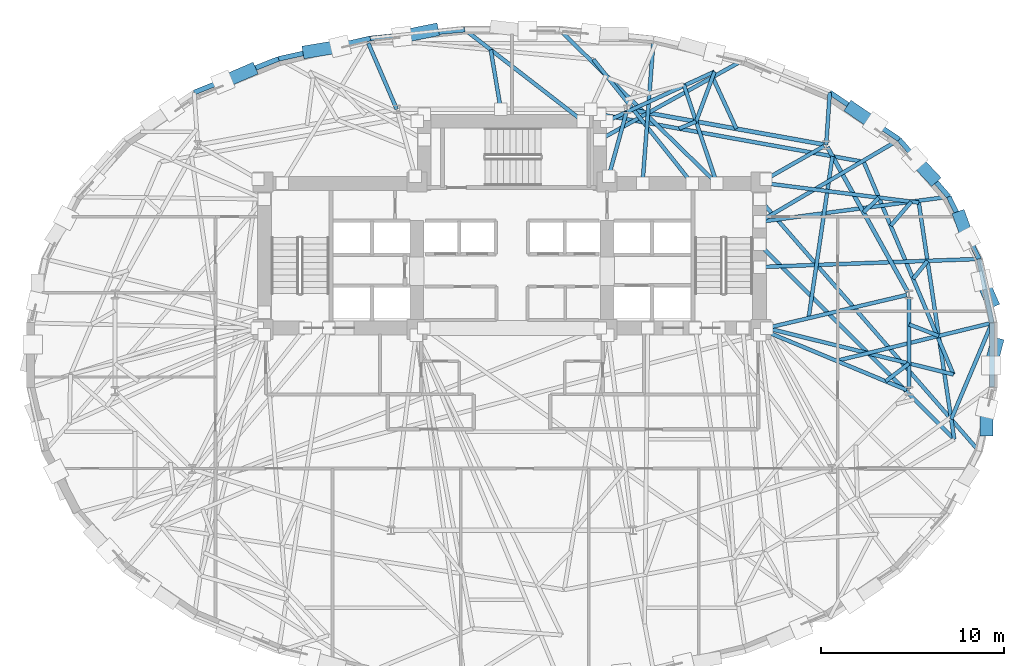
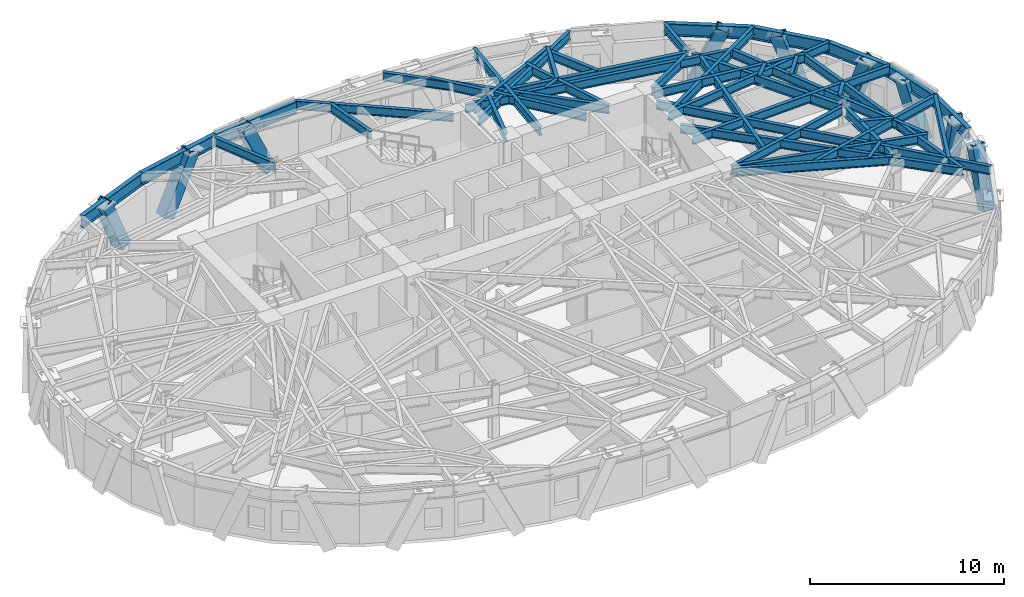
# One storey, part 4 of 14: 46 beams, 9 members.
"""IFC4 building model written with IfcOpenShell, lengths in metres."""

from ifc_helpers import new_model, si_unit, direction, frame, origin, origin_2d, place, context, subcontext, project, spatial, hollow_rectangle, i_section, extrude, material, material_profile, profile_set, type_object, element, save


model = new_model("IFC4")

# Units and contexts
model_context = context("Model", 3, precision=1e-05, world=origin(), true_north=direction((0.0, 1.0)))
body_context = subcontext(model_context, "Body", "Model", "MODEL_VIEW")
ifc_project = project(units=[si_unit("LENGTHUNIT", "METRE"), si_unit("AREAUNIT", "SQUARE_METRE"), si_unit("VOLUMEUNIT", "CUBIC_METRE"), si_unit("PLANEANGLEUNIT", "RADIAN"), si_unit("MASSUNIT", "GRAM", prefix="KILO")], contexts=[model_context])

# Site, building, storey
site_placement = place(None, origin())
site = spatial("IfcSite", under=ifc_project, at=site_placement, CompositionType="ELEMENT")
building_placement = place(site_placement, origin())
building = spatial("IfcBuilding", under=site, at=building_placement, Name="Keldmark Tower", CompositionType="ELEMENT")
storey_placement = place(building_placement, frame((0.0, 0.0, 117.60009765625)))
storey = spatial("IfcBuildingStorey", under=building, at=storey_placement, Name="L31", CompositionType="ELEMENT", Elevation=117.60009765625)

# Members
ifc_material_1 = material(Name="Steel ASTM A572 Grade 50", Category="steel")
ifc_material_profile_1 = material_profile(ifc_material_1, hollow_rectangle(XDim=0.699951171875, YDim=0.699951171875, WallThickness=0.044921875, at=origin_2d()), Name="BOX700X700X45")
ifc_profile_set_1 = profile_set([ifc_material_profile_1], Name="Steel ASTM A572 Grade 50")
member_type = type_object("IfcMemberType", Name="Diagrid Zone 2 Brace BOX700X700X45", PredefinedType="BRACE", material=ifc_profile_set_1)
member_1_placement = place(storey_placement, frame((26.193603515625, 2.937744140625, -0.27001953125), z_axis=(-0.136715052981, 0.309551033024, 0.941003268986), x_axis=(-0.914755754377, -0.404007314085, 0.0)))
element("IfcMember", 1, at=member_1_placement, inside=storey, type_object=member_type, Name="L31 Perimeter Diagrid Brace 01A", PredefinedType="BRACE", context=body_context, shape_type="SweptSolid", body=[
    extrude(hollow_rectangle(XDim=0.699951171875, YDim=0.699951171875, WallThickness=0.044921875, at=origin_2d()), origin(), (0.0, 0.0, 1.0), 3.677001953125),
])
member_2_placement = place(storey_placement, frame((24.48193359375, 7.53173828125, -0.27001953125), z_axis=(0.115677594289, -0.31774815653, 0.941092345735), x_axis=(0.939667219059, 0.342089925935, 0.0)))
element("IfcMember", 2, at=member_2_placement, inside=storey, type_object=member_type, Name="L31 Perimeter Diagrid Brace 01B", PredefinedType="BRACE", context=body_context, shape_type="SweptSolid", body=[
    extrude(hollow_rectangle(XDim=0.699951171875, YDim=0.699951171875, WallThickness=0.044921875, at=origin_2d()), origin(), (0.0, 0.0, 1.0), 3.676513671875),
])
member_3_placement = place(storey_placement, frame((22.969482421875, 9.683349609375, -0.27001953125), z_axis=(-0.257418052175, 0.273245076724, 0.926861950056), x_axis=(-0.727872576198, -0.685712412618, 0.0)))
element("IfcMember", 3, at=member_3_placement, inside=storey, type_object=member_type, Name="L31 Perimeter Diagrid Brace 02A", PredefinedType="BRACE", context=body_context, shape_type="SweptSolid", body=[
    extrude(hollow_rectangle(XDim=0.699951171875, YDim=0.699951171875, WallThickness=0.044921875, at=origin_2d()), origin(), (0.0, 0.0, 1.0), 3.73291015625),
])
member_4_placement = place(storey_placement, frame((18.588623046875, 13.45361328125, -0.27001953125), z_axis=(0.333081004884, -0.227714034546, 0.914988176238), x_axis=(0.564374110269, 0.825519147966, 0.0)))
element("IfcMember", 4, at=member_4_placement, inside=storey, type_object=member_type, Name="L31 Perimeter Diagrid Brace 02B", PredefinedType="BRACE", context=body_context, shape_type="SweptSolid", body=[
    extrude(hollow_rectangle(XDim=0.699951171875, YDim=0.699951171875, WallThickness=0.044921875, at=origin_2d()), origin(), (0.0, 0.0, 1.0), 3.781494140625),
])
member_5_placement = place(storey_placement, frame((-4.3359375, 17.739013671875, -0.27001953125), z_axis=(-0.434868401158, -0.088149854764, 0.896169111708), x_axis=(0.19866427765, -0.980067602151, 0.0)))
element("IfcMember", 5, at=member_5_placement, inside=storey, type_object=member_type, Name="L31 Perimeter Diagrid Brace 05A", PredefinedType="BRACE", context=body_context, shape_type="SweptSolid", body=[
    extrude(hollow_rectangle(XDim=0.699951171875, YDim=0.699951171875, WallThickness=0.044921875, at=origin_2d()), origin(), (0.0, 0.0, 1.0), 3.86083984375),
])
member_6_placement = place(storey_placement, frame((-11.11767578125, 16.579345703125, -0.27001953125), z_axis=(0.444558902473, 0.074513060587, 0.892645050417), x_axis=(-0.165305300485, 0.986242443637, 0.0)))
element("IfcMember", 6, at=member_6_placement, inside=storey, type_object=member_type, Name="L31 Perimeter Diagrid Brace 05B", PredefinedType="BRACE", context=body_context, shape_type="SweptSolid", body=[
    extrude(hollow_rectangle(XDim=0.699951171875, YDim=0.699951171875, WallThickness=0.044921875, at=origin_2d()), origin(), (0.0, 0.0, 1.0), 3.8759765625),
])
member_7_placement = place(storey_placement, frame((-14.29638671875, 15.555419921875, -0.27001953125), z_axis=(-0.392877780664, -0.170070612081, 0.903727301992), x_axis=(0.397260453562, -0.91770590716, 0.0)))
element("IfcMember", 7, at=member_7_placement, inside=storey, type_object=member_type, Name="L31 Perimeter Diagrid Brace 06A", PredefinedType="BRACE", context=body_context, shape_type="SweptSolid", body=[
    extrude(hollow_rectangle(XDim=0.699951171875, YDim=0.699951171875, WallThickness=0.044921875, at=origin_2d()), origin(), (0.0, 0.0, 1.0), 3.82861328125),
])
member_8_placement = place(storey_placement, frame((25.92724609375, -4.0986328125, -0.27001953125), z_axis=(0.000666691478, 0.327545523349, 0.94483516322), x_axis=(-0.999997928547, 0.002035412026, 0.0)))
element("IfcMember", 8, at=member_8_placement, inside=storey, type_object=member_type, Name="L31 Perimeter Diagrid Brace 16A", PredefinedType="BRACE", context=body_context, shape_type="SweptSolid", body=[
    extrude(hollow_rectangle(XDim=0.699951171875, YDim=0.699951171875, WallThickness=0.044921875, at=origin_2d()), origin(), (0.0, 0.0, 1.0), 3.661865234375),
])
member_9_placement = place(storey_placement, frame((26.462158203125, 0.59619140625, -0.27001953125), z_axis=(-0.081382551716, -0.320268978071, 0.943824486841), x_axis=(0.969198705656, -0.246280062032, 0.0)))
element("IfcMember", 9, at=member_9_placement, inside=storey, type_object=member_type, Name="L31 Perimeter Diagrid Brace 16B", PredefinedType="BRACE", context=body_context, shape_type="SweptSolid", body=[
    extrude(hollow_rectangle(XDim=0.699951171875, YDim=0.699951171875, WallThickness=0.044921875, at=origin_2d()), origin(), (0.0, 0.0, 1.0), 3.666015625),
])

# Beams
ifc_material_2 = material(Name="Steel ASTM A992 Grade 50", Category="steel")
ifc_material_profile_2 = material_profile(ifc_material_2, i_section(OverallWidth=0.22900390625, OverallDepth=0.612060546875, WebThickness=0.011962890625, FlangeThickness=0.01953125, at=origin_2d()), Name="W24X84")
ifc_profile_set_2 = profile_set([ifc_material_profile_2], Name="Steel ASTM A992 Grade 50")
beam_type_1 = type_object("IfcBeamType", Name="Primary Floor Girder W24X84", PredefinedType="BEAM", material=ifc_profile_set_2)
beam_1_placement = place(storey_placement, frame((21.62890625, 3.432373046875, 3.00390625), z_axis=(-0.484951836703, 0.874540860154, 0.0), x_axis=(-0.874540860154, -0.484951836703, 0.0)))
element("IfcBeam", 10, at=beam_1_placement, inside=storey, type_object=beam_type_1, Name="L31 Floor Ring Girder FG-R01", PredefinedType="BEAM", context=body_context, shape_type="SweptSolid", body=[
    extrude(i_section(OverallWidth=0.22900390625, OverallDepth=0.612060546875, WebThickness=0.011962890625, FlangeThickness=0.01953125, at=origin_2d()), origin(), (0.0, 0.0, 1.0), 9.060302734375),
])
beam_2_placement = place(storey_placement, frame((17.029296875, 11.503173828125, 3.00390625), z_axis=(-0.984218266992, 0.176958760505, 0.0), x_axis=(-0.176958760505, -0.984218266992, 0.0)))
element("IfcBeam", 11, at=beam_2_placement, inside=storey, type_object=beam_type_1, Name="L31 Floor Ring Girder FG-R02", PredefinedType="BEAM", context=body_context, shape_type="SweptSolid", body=[
    extrude(i_section(OverallWidth=0.22900390625, OverallDepth=0.612060546875, WebThickness=0.011962890625, FlangeThickness=0.01953125, at=origin_2d()), origin(), (0.0, 0.0, 1.0), 10.7626953125),
])
beam_3_placement = place(storey_placement, frame((21.697021484375, -1.825927734375, 3.00390625), z_axis=(0.0, 1.0, 0.0), x_axis=(-1.0, 0.0, 0.0)))
element("IfcBeam", 12, at=beam_3_placement, inside=storey, type_object=beam_type_1, Name="L31 Floor Ring Girder FG-R12", PredefinedType="BEAM", context=body_context, shape_type="SweptSolid", body=[
    extrude(i_section(OverallWidth=0.22900390625, OverallDepth=0.612060546875, WebThickness=0.011962890625, FlangeThickness=0.01953125, at=origin_2d()), origin(), (0.0, 0.0, 1.0), 4.995849609375),
])
ifc_material_3 = material(Name="Steel ASTM A992 Grade 50", Category="steel")
ifc_material_profile_3 = material_profile(ifc_material_3, i_section(OverallWidth=0.2099609375, OverallDepth=0.537109375, WebThickness=0.010986328125, FlangeThickness=0.017333984375, at=origin_2d()), Name="W21X68")
ifc_profile_set_3 = profile_set([ifc_material_profile_3], Name="Steel ASTM A992 Grade 50")
beam_type_2 = type_object("IfcBeamType", Name="Radial Tie Girder W21X68", PredefinedType="BEAM", material=ifc_profile_set_3)
beam_4_placement = place(storey_placement, frame((21.560546875, 3.27783203125, 3.04150390625), z_axis=(-0.973283778272, -0.229605502879, 0.0), x_axis=(0.229605502879, -0.973283778272, 0.0)))
element("IfcBeam", 13, at=beam_4_placement, inside=storey, type_object=beam_type_2, Name="L31 Floor Radial Girder FG-C01", PredefinedType="BEAM", context=body_context, shape_type="SweptSolid", body=[
    extrude(i_section(OverallWidth=0.2099609375, OverallDepth=0.537109375, WebThickness=0.010986328125, FlangeThickness=0.017333984375, at=origin_2d()), origin(), (0.0, 0.0, 1.0), 7.85888671875),
])
beam_5_placement = place(storey_placement, frame((17.04541015625, 11.4091796875, 3.04150390625), z_axis=(-0.86928447329, -0.494312152892, 0.0), x_axis=(0.494312152892, -0.86928447329, 0.0)))
element("IfcBeam", 14, at=beam_5_placement, inside=storey, type_object=beam_type_2, Name="L31 Floor Radial Girder FG-C02", PredefinedType="BEAM", context=body_context, shape_type="SweptSolid", body=[
    extrude(i_section(OverallWidth=0.2099609375, OverallDepth=0.537109375, WebThickness=0.010986328125, FlangeThickness=0.017333984375, at=origin_2d()), origin(), (0.0, 0.0, 1.0), 3.6435546875),
])
beam_6_placement = place(storey_placement, frame((6.26171875, 13.297607421875, 3.04150390625), z_axis=(-0.265997186795, -0.963973804944, 0.0), x_axis=(0.963973804944, -0.265997186795, 0.0)))
element("IfcBeam", 15, at=beam_6_placement, inside=storey, type_object=beam_type_2, Name="L31 Floor Radial Girder FG-C03", PredefinedType="BEAM", context=body_context, shape_type="SweptSolid", body=[
    extrude(i_section(OverallWidth=0.2099609375, OverallDepth=0.537109375, WebThickness=0.010986328125, FlangeThickness=0.017333984375, at=origin_2d()), origin(), (0.0, 0.0, 1.0), 3.67138671875),
])
beam_7_placement = place(storey_placement, frame((21.567626953125, -1.912109375, 3.04150390625), z_axis=(-0.923397393633, 0.383845350932, 0.0), x_axis=(-0.383845350932, -0.923397393633, 0.0)))
element("IfcBeam", 16, at=beam_7_placement, inside=storey, type_object=beam_type_2, Name="L31 Floor Radial Girder FG-C12", PredefinedType="BEAM", context=body_context, shape_type="SweptSolid", body=[
    extrude(i_section(OverallWidth=0.2099609375, OverallDepth=0.537109375, WebThickness=0.010986328125, FlangeThickness=0.017333984375, at=origin_2d()), origin(), (0.0, 0.0, 1.0), 8.30859375),
])
beam_8_placement = place(storey_placement, frame((16.206298828125, 2.014892578125, 3.04150390625), z_axis=(0.145924065507, 0.989295793535, 0.0), x_axis=(-0.989295793535, 0.145924065507, 0.0)))
element("IfcBeam", 17, at=beam_8_placement, inside=storey, type_object=beam_type_2, Name="L31 Framing Pin Header PH-001", PredefinedType="BEAM", context=body_context, shape_type="SweptSolid", body=[
    extrude(i_section(OverallWidth=0.2099609375, OverallDepth=0.537109375, WebThickness=0.010986328125, FlangeThickness=0.017333984375, at=origin_2d()), origin(), (0.0, 0.0, 1.0), 8.939208984375),
])
beam_9_placement = place(storey_placement, frame((4.800048828125, 13.14990234375, 3.04150390625), z_axis=(0.984137510219, -0.177407330683, 0.0), x_axis=(0.177407330683, 0.984137510219, 0.0)))
element("IfcBeam", 18, at=beam_9_placement, inside=storey, type_object=beam_type_2, Name="L31 Sub-Ring Step Girder STP1-M01", PredefinedType="BEAM", context=body_context, shape_type="SweptSolid", body=[
    extrude(i_section(OverallWidth=0.2099609375, OverallDepth=0.537109375, WebThickness=0.010986328125, FlangeThickness=0.017333984375, at=origin_2d()), origin(), (0.0, 0.0, 1.0), 14.6533203125),
])
beam_10_placement = place(storey_placement, frame((9.126220703125, 12.3701171875, 3.04150390625), z_axis=(0.924010943227, 0.382366024637, 0.0), x_axis=(-0.382366024637, 0.924010943227, 0.0)))
element("IfcBeam", 19, at=beam_10_placement, inside=storey, type_object=beam_type_2, Name="L31 Framing Pin Header PH-002", PredefinedType="BEAM", context=body_context, shape_type="SweptSolid", body=[
    extrude(i_section(OverallWidth=0.2099609375, OverallDepth=0.537109375, WebThickness=0.010986328125, FlangeThickness=0.017333984375, at=origin_2d()), origin(), (0.0, 0.0, 1.0), 1.010009765625),
])
beam_11_placement = place(storey_placement, frame((11.19287109375, 9.375, 3.04150390625), z_axis=(-0.317807372155, 0.948155300678, 0.0), x_axis=(-0.948155300678, -0.317807372155, 0.0)))
element("IfcBeam", 20, at=beam_11_placement, inside=storey, type_object=beam_type_2, Name="L31 Sub-Ring Step Girder STP1-M02", PredefinedType="BEAM", context=body_context, shape_type="SweptSolid", body=[
    extrude(i_section(OverallWidth=0.2099609375, OverallDepth=0.537109375, WebThickness=0.010986328125, FlangeThickness=0.017333984375, at=origin_2d()), origin(), (0.0, 0.0, 1.0), 5.70166015625),
])
beam_12_placement = place(storey_placement, frame((20.416748046875, -1.433837890625, 3.04150390625), z_axis=(0.796267517739, 0.604944658786, 0.0), x_axis=(-0.604944658786, 0.796267517739, 0.0)))
element("IfcBeam", 21, at=beam_12_placement, inside=storey, type_object=beam_type_2, Name="L31 Framing Pin Header PH-006", PredefinedType="BEAM", context=body_context, shape_type="SweptSolid", body=[
    extrude(i_section(OverallWidth=0.2099609375, OverallDepth=0.537109375, WebThickness=0.010986328125, FlangeThickness=0.017333984375, at=origin_2d()), origin(), (0.0, 0.0, 1.0), 1.60791015625),
])
beam_13_placement = place(storey_placement, frame((13.89990234375, 1.47509765625, 3.04150390625), z_axis=(0.970521676589, -0.241013848713, 0.0), x_axis=(0.241013848713, 0.970521676589, 0.0)))
element("IfcBeam", 22, at=beam_13_placement, inside=storey, type_object=beam_type_2, Name="L31 Sub-Ring Step Girder STP1-M12", PredefinedType="BEAM", context=body_context, shape_type="SweptSolid", body=[
    extrude(i_section(OverallWidth=0.2099609375, OverallDepth=0.537109375, WebThickness=0.010986328125, FlangeThickness=0.017333984375, at=origin_2d()), origin(), (0.0, 0.0, 1.0), 10.533935546875),
])
beam_14_placement = place(storey_placement, frame((24.123291015625, -1.063720703125, 3.04150390625), z_axis=(-0.388881086855, 0.921287957311, 0.0), x_axis=(-0.921287957311, -0.388881086855, 0.0)))
element("IfcBeam", 23, at=beam_14_placement, inside=storey, type_object=beam_type_2, Name="L31 Perimeter Collector Ring Beam CRG1-M12", PredefinedType="BEAM", context=body_context, shape_type="SweptSolid", body=[
    extrude(i_section(OverallWidth=0.2099609375, OverallDepth=0.537109375, WebThickness=0.010986328125, FlangeThickness=0.017333984375, at=origin_2d()), origin(), (0.0, 0.0, 1.0), 12.606201171875),
])
beam_15_placement = place(storey_placement, frame((19.21240234375, 7.790283203125, 3.04150390625), z_axis=(0.715881904816, 0.698221382054, 0.0), x_axis=(-0.698221382054, 0.715881904816, 0.0)))
element("IfcBeam", 24, at=beam_15_placement, inside=storey, type_object=beam_type_2, Name="L31 Framing Pin Header PH-007", PredefinedType="BEAM", context=body_context, shape_type="SweptSolid", body=[
    extrude(i_section(OverallWidth=0.2099609375, OverallDepth=0.537109375, WebThickness=0.010986328125, FlangeThickness=0.017333984375, at=origin_2d()), origin(), (0.0, 0.0, 1.0), 1.1611328125),
])
beam_16_placement = place(storey_placement, frame((13.89990234375, 9.375, 3.04150390625), z_axis=(0.992159721911, -0.124976342628, 0.0), x_axis=(0.124976342628, 0.992159721911, 0.0)))
element("IfcBeam", 25, at=beam_16_placement, inside=storey, type_object=beam_type_2, Name="L31 Sub-Ring Step Girder STP2-M01", PredefinedType="BEAM", context=body_context, shape_type="SweptSolid", body=[
    extrude(i_section(OverallWidth=0.2099609375, OverallDepth=0.537109375, WebThickness=0.010986328125, FlangeThickness=0.017333984375, at=origin_2d()), origin(), (0.0, 0.0, 1.0), 8.392333984375),
])
beam_17_placement = place(storey_placement, frame((9.83935546875, 9.375, 3.04150390625), z_axis=(-0.622483904898, 0.782632600997, 0.0), x_axis=(-0.782632600997, -0.622483904898, 0.0)))
element("IfcBeam", 26, at=beam_17_placement, inside=storey, type_object=beam_type_2, Name="L31 Sub-Ring Step Girder STP2-M03", PredefinedType="BEAM", context=body_context, shape_type="SweptSolid", body=[
    extrude(i_section(OverallWidth=0.2099609375, OverallDepth=0.537109375, WebThickness=0.010986328125, FlangeThickness=0.017333984375, at=origin_2d()), origin(), (0.0, 0.0, 1.0), 8.654296875),
])
beam_18_placement = place(storey_placement, frame((13.52490234375, 6.04296875, 3.04150390625), z_axis=(0.706685034733, -0.707528276244, 0.0), x_axis=(0.707528276244, 0.706685034733, 0.0)))
element("IfcBeam", 27, at=beam_18_placement, inside=storey, type_object=beam_type_2, Name="L31 Sub-Ring Step Girder STP2-M12", PredefinedType="BEAM", context=body_context, shape_type="SweptSolid", body=[
    extrude(i_section(OverallWidth=0.2099609375, OverallDepth=0.537109375, WebThickness=0.010986328125, FlangeThickness=0.017333984375, at=origin_2d()), origin(), (0.0, 0.0, 1.0), 15.055419921875),
])
beam_19_placement = place(storey_placement, frame((24.164306640625, -4.609130859375, 3.04150390625), z_axis=(-0.148167941718, 0.988962214165, 0.0), x_axis=(-0.988962214165, -0.148167941718, 0.0)))
element("IfcBeam", 28, at=beam_19_placement, inside=storey, type_object=beam_type_2, Name="L31 Perimeter Collector Ring Beam CRG2-M12", PredefinedType="BEAM", context=body_context, shape_type="SweptSolid", body=[
    extrude(i_section(OverallWidth=0.2099609375, OverallDepth=0.537109375, WebThickness=0.010986328125, FlangeThickness=0.017333984375, at=origin_2d()), origin(), (0.0, 0.0, 1.0), 13.07958984375),
])
beam_20_placement = place(storey_placement, frame((21.697021484375, 1.671142578125, 3.04150390625), z_axis=(0.932433773413, -0.361340916863, 0.0), x_axis=(0.361340916863, 0.932433773413, 0.0)))
element("IfcBeam", 29, at=beam_20_placement, inside=storey, type_object=beam_type_2, Name="L31 Framing Pin Header PH-013", PredefinedType="BEAM", context=body_context, shape_type="SweptSolid", body=[
    extrude(i_section(OverallWidth=0.2099609375, OverallDepth=0.537109375, WebThickness=0.010986328125, FlangeThickness=0.017333984375, at=origin_2d()), origin(), (0.0, 0.0, 1.0), 1.73779296875),
])
beam_21_placement = place(storey_placement, frame((17.7314453125, -0.3173828125, 3.04150390625), z_axis=(0.971588836391, 0.236675163463, 0.0), x_axis=(-0.236675163463, 0.971588836391, 0.0)))
element("IfcBeam", 30, at=beam_21_placement, inside=storey, type_object=beam_type_2, Name="L31 Perimeter Radial Tie Girder RT-01", PredefinedType="BEAM", context=body_context, shape_type="SweptSolid", body=[
    extrude(i_section(OverallWidth=0.2099609375, OverallDepth=0.537109375, WebThickness=0.010986328125, FlangeThickness=0.017333984375, at=origin_2d()), origin(), (0.0, 0.0, 1.0), 8.740234375),
])
beam_22_placement = place(storey_placement, frame((21.917236328125, 4.16259765625, 3.04150390625), z_axis=(0.625050181583, 0.780584569731, 0.0), x_axis=(-0.780584569731, 0.625050181583, 0.0)))
element("IfcBeam", 31, at=beam_22_placement, inside=storey, type_object=beam_type_2, Name="L31 Framing Pin Header PH-014", PredefinedType="BEAM", context=body_context, shape_type="SweptSolid", body=[
    extrude(i_section(OverallWidth=0.2099609375, OverallDepth=0.537109375, WebThickness=0.010986328125, FlangeThickness=0.017333984375, at=origin_2d()), origin(), (0.0, 0.0, 1.0), 1.25732421875),
])
beam_23_placement = place(storey_placement, frame((13.52490234375, 4.80712890625, 3.04150390625), z_axis=(0.999326712586, 0.036689528656, 0.0), x_axis=(-0.036689528656, 0.999326712586, 0.0)))
element("IfcBeam", 32, at=beam_23_placement, inside=storey, type_object=beam_type_2, Name="L31 Perimeter Radial Tie Girder RT-02", PredefinedType="BEAM", context=body_context, shape_type="SweptSolid", body=[
    extrude(i_section(OverallWidth=0.2099609375, OverallDepth=0.537109375, WebThickness=0.010986328125, FlangeThickness=0.017333984375, at=origin_2d()), origin(), (0.0, 0.0, 1.0), 11.99755859375),
])
beam_24_placement = place(storey_placement, frame((20.691650390625, 7.06591796875, 3.04150390625), z_axis=(0.652045759282, 0.758179614473, 0.0), x_axis=(-0.758179614473, 0.652045759282, 0.0)))
element("IfcBeam", 33, at=beam_24_placement, inside=storey, type_object=beam_type_2, Name="L31 Framing Pin Header PH-015", PredefinedType="BEAM", context=body_context, shape_type="SweptSolid", body=[
    extrude(i_section(OverallWidth=0.2099609375, OverallDepth=0.537109375, WebThickness=0.010986328125, FlangeThickness=0.017333984375, at=origin_2d()), origin(), (0.0, 0.0, 1.0), 1.729736328125),
])
beam_25_placement = place(storey_placement, frame((13.52490234375, 7.278564453125, 3.04150390625), z_axis=(0.991338954505, 0.13132812829, 0.0), x_axis=(-0.13132812829, 0.991338954505, 0.0)))
element("IfcBeam", 34, at=beam_25_placement, inside=storey, type_object=beam_type_2, Name="L31 Perimeter Radial Tie Girder RT-03", PredefinedType="BEAM", context=body_context, shape_type="SweptSolid", body=[
    extrude(i_section(OverallWidth=0.2099609375, OverallDepth=0.537109375, WebThickness=0.010986328125, FlangeThickness=0.017333984375, at=origin_2d()), origin(), (0.0, 0.0, 1.0), 10.430908203125),
])
beam_26_placement = place(storey_placement, frame((13.52490234375, 7.278564453125, 3.04150390625), z_axis=(0.861749969468, 0.507333214093, 0.0), x_axis=(-0.507333214093, 0.861749969468, 0.0)))
element("IfcBeam", 35, at=beam_26_placement, inside=storey, type_object=beam_type_2, Name="L31 Perimeter Radial Tie Girder RT-04", PredefinedType="BEAM", context=body_context, shape_type="SweptSolid", body=[
    extrude(i_section(OverallWidth=0.2099609375, OverallDepth=0.537109375, WebThickness=0.010986328125, FlangeThickness=0.017333984375, at=origin_2d()), origin(), (0.0, 0.0, 1.0), 8.859375),
])
beam_27_placement = place(storey_placement, frame((17.1669921875, 11.478271484375, 3.04150390625), z_axis=(0.068886629641, 0.997624494615, 0.0), x_axis=(-0.997624494615, 0.068886629641, 0.0)))
element("IfcBeam", 36, at=beam_27_placement, inside=storey, type_object=beam_type_2, Name="L31 Perimeter Column Bracket RT-05", PredefinedType="BEAM", context=body_context, shape_type="SweptSolid", body=[
    extrude(i_section(OverallWidth=0.2099609375, OverallDepth=0.537109375, WebThickness=0.010986328125, FlangeThickness=0.017333984375, at=origin_2d()), origin(), (0.0, 0.0, 1.0), 2.874267578125),
])
beam_28_placement = place(storey_placement, frame((5.175048828125, 12.77490234375, 3.04150390625), z_axis=(0.908796082603, 0.417240554411, 0.0), x_axis=(-0.417240554411, 0.908796082603, 0.0)))
element("IfcBeam", 37, at=beam_28_placement, inside=storey, type_object=beam_type_2, Name="L31 Intermediate Radial Step Girder RT-06M", PredefinedType="BEAM", context=body_context, shape_type="SweptSolid", body=[
    extrude(i_section(OverallWidth=0.2099609375, OverallDepth=0.537109375, WebThickness=0.010986328125, FlangeThickness=0.017333984375, at=origin_2d()), origin(), (0.0, 0.0, 1.0), 6.485107421875),
])
beam_29_placement = place(storey_placement, frame((10.0595703125, 12.75634765625, 3.04150390625), z_axis=(0.347317092792, 0.937747747027, 0.0), x_axis=(-0.937747747027, 0.347317092792, 0.0)))
element("IfcBeam", 38, at=beam_29_placement, inside=storey, type_object=beam_type_2, Name="L31 Local Collector Chord RT-06C", PredefinedType="BEAM", context=body_context, shape_type="SweptSolid", body=[
    extrude(i_section(OverallWidth=0.2099609375, OverallDepth=0.537109375, WebThickness=0.010986328125, FlangeThickness=0.017333984375, at=origin_2d()), origin(), (0.0, 0.0, 1.0), 2.9052734375),
])
beam_30_placement = place(storey_placement, frame((12.2626953125, 12.360107421875, 3.04150390625), z_axis=(-0.419491287949, 0.90775936202, 0.0), x_axis=(-0.90775936202, -0.419491287949, 0.0)))
element("IfcBeam", 39, at=beam_30_placement, inside=storey, type_object=beam_type_2, Name="L31 Framing Pin Header PH-016", PredefinedType="BEAM", context=body_context, shape_type="SweptSolid", body=[
    extrude(i_section(OverallWidth=0.2099609375, OverallDepth=0.537109375, WebThickness=0.010986328125, FlangeThickness=0.017333984375, at=origin_2d()), origin(), (0.0, 0.0, 1.0), 3.109619140625),
])
beam_31_placement = place(storey_placement, frame((4.800048828125, 11.7666015625, 3.04150390625), z_axis=(0.874464669163, 0.48508921075, 0.0), x_axis=(-0.48508921075, 0.874464669163, 0.0)))
element("IfcBeam", 40, at=beam_31_placement, inside=storey, type_object=beam_type_2, Name="L31 Perimeter Radial Tie Girder RT-06", PredefinedType="BEAM", context=body_context, shape_type="SweptSolid", body=[
    extrude(i_section(OverallWidth=0.2099609375, OverallDepth=0.537109375, WebThickness=0.010986328125, FlangeThickness=0.017333984375, at=origin_2d()), origin(), (0.0, 0.0, 1.0), 9.098388671875),
])
beam_32_placement = place(storey_placement, frame((7.132080078125, 9.375, 3.04150390625), z_axis=(0.07647094982, 0.997071809768, 0.0), x_axis=(-0.997071809768, 0.07647094982, 0.0)))
element("IfcBeam", 41, at=beam_32_placement, inside=storey, type_object=beam_type_2, Name="L31 Perimeter Radial Tie Girder RT-07", PredefinedType="BEAM", context=body_context, shape_type="SweptSolid", body=[
    extrude(i_section(OverallWidth=0.2099609375, OverallDepth=0.537109375, WebThickness=0.010986328125, FlangeThickness=0.017333984375, at=origin_2d()), origin(), (0.0, 0.0, 1.0), 7.9462890625),
])
beam_33_placement = place(storey_placement, frame((11.19287109375, 9.375, 3.04150390625), z_axis=(-0.7156280578, 0.698481555153, 0.0), x_axis=(-0.698481555153, -0.7156280578, 0.0)))
element("IfcBeam", 42, at=beam_33_placement, inside=storey, type_object=beam_type_2, Name="L31 Perimeter Radial Tie Girder RT-08", PredefinedType="BEAM", context=body_context, shape_type="SweptSolid", body=[
    extrude(i_section(OverallWidth=0.2099609375, OverallDepth=0.537109375, WebThickness=0.010986328125, FlangeThickness=0.017333984375, at=origin_2d()), origin(), (0.0, 0.0, 1.0), 12.031494140625),
])
beam_34_placement = place(storey_placement, frame((26.223388671875, 1.751220703125, 3.04150390625), z_axis=(-0.389482382701, -0.921033915535, 0.0), x_axis=(0.921033915535, -0.389482382701, 0.0)))
element("IfcBeam", 43, at=beam_34_placement, inside=storey, type_object=beam_type_2, Name="L31 Framing Pin Header PH-044", PredefinedType="BEAM", context=body_context, shape_type="SweptSolid", body=[
    extrude(i_section(OverallWidth=0.2099609375, OverallDepth=0.537109375, WebThickness=0.010986328125, FlangeThickness=0.017333984375, at=origin_2d()), origin(), (0.0, 0.0, 1.0), 5.71044921875),
])
beam_35_placement = place(storey_placement, frame((13.52490234375, 8.514404296875, 3.04150390625), z_axis=(0.656889433065, -0.753986918141, 0.0), x_axis=(0.753986918141, 0.656889433065, 0.0)))
element("IfcBeam", 44, at=beam_35_placement, inside=storey, type_object=beam_type_2, Name="L31 Perimeter Radial Tie Girder RT-31", PredefinedType="BEAM", context=body_context, shape_type="SweptSolid", body=[
    extrude(i_section(OverallWidth=0.2099609375, OverallDepth=0.537109375, WebThickness=0.010986328125, FlangeThickness=0.017333984375, at=origin_2d()), origin(), (0.0, 0.0, 1.0), 18.251953125),
])
beam_36_placement = place(storey_placement, frame((-6.298828125, 13.4326171875, 3.04150390625), z_axis=(-0.395437186935, 0.918493021851, 0.0), x_axis=(-0.918493021851, -0.395437186935, 0.0)))
element("IfcBeam", 45, at=beam_36_placement, inside=storey, type_object=beam_type_2, Name="L31 North Column Cantilever Girder West FG-TCN-W", PredefinedType="BEAM", context=body_context, shape_type="SweptSolid", body=[
    extrude(i_section(OverallWidth=0.2099609375, OverallDepth=0.537109375, WebThickness=0.010986328125, FlangeThickness=0.017333984375, at=origin_2d()), origin(), (0.0, 0.0, 1.0), 3.919921875),
])
beam_37_placement = place(storey_placement, frame((-0.615966796875, 13.4326171875, 3.04150390625), z_axis=(-0.165397630134, 0.986226963709, 0.0), x_axis=(-0.986226963709, -0.165397630134, 0.0)))
element("IfcBeam", 46, at=beam_37_placement, inside=storey, type_object=beam_type_2, Name="L31 Framing Pin Header PH-045", PredefinedType="BEAM", context=body_context, shape_type="SweptSolid", body=[
    extrude(i_section(OverallWidth=0.2099609375, OverallDepth=0.537109375, WebThickness=0.010986328125, FlangeThickness=0.017333984375, at=origin_2d()), origin(), (0.0, 0.0, 1.0), 3.290283203125),
])
beam_38_placement = place(storey_placement, frame((3.88134765625, 12.77490234375, 3.04150390625), z_axis=(-0.79075728361, 0.612129821539, 0.0), x_axis=(-0.612129821539, -0.79075728361, 0.0)))
element("IfcBeam", 47, at=beam_38_placement, inside=storey, type_object=beam_type_2, Name="L31 Perimeter Radial Tie Girder RT-09R", PredefinedType="BEAM", context=body_context, shape_type="SweptSolid", body=[
    extrude(i_section(OverallWidth=0.2099609375, OverallDepth=0.537109375, WebThickness=0.010986328125, FlangeThickness=0.017333984375, at=origin_2d()), origin(), (0.0, 0.0, 1.0), 8.174560546875),
])
ifc_material_4 = material(Name="Steel ASTM A992 Grade 50", Category="steel")
ifc_material_profile_4 = material_profile(ifc_material_4, i_section(OverallWidth=0.26806640625, OverallDepth=0.77001953125, WebThickness=0.015625, FlangeThickness=0.025390625, at=origin_2d()), Name="W30X132")
ifc_profile_set_4 = profile_set([ifc_material_profile_4], Name="Steel ASTM A992 Grade 50")
beam_type_3 = type_object("IfcBeamType", Name="Spandrel Ring Beam W30X132", PredefinedType="SPANDREL", material=ifc_profile_set_4)
beam_39_placement = place(storey_placement, frame((26.223388671875, 1.751220703125, 2.9248046875), z_axis=(-0.198747709054, 0.980050686519, 0.0), x_axis=(-0.980050686519, -0.198747709054, 0.0)))
element("IfcBeam", 48, at=beam_39_placement, inside=storey, type_object=beam_type_3, Name="L31 Perimeter Spandrel Ring Beam SRB-01", PredefinedType="SPANDREL", context=body_context, shape_type="SweptSolid", body=[
    extrude(i_section(OverallWidth=0.26806640625, OverallDepth=0.77001953125, WebThickness=0.015625, FlangeThickness=0.025390625, at=origin_2d()), origin(), (0.0, 0.0, 1.0), 3.567138671875),
])
beam_40_placement = place(storey_placement, frame((25.514404296875, 5.247314453125, 2.9248046875), z_axis=(-0.43625131955, 0.899824864177, 0.0), x_axis=(-0.899824864177, -0.43625131955, 0.0)))
element("IfcBeam", 49, at=beam_40_placement, inside=storey, type_object=beam_type_3, Name="L31 Perimeter Spandrel Ring Beam SRB-02", PredefinedType="SPANDREL", context=body_context, shape_type="SweptSolid", body=[
    extrude(i_section(OverallWidth=0.26806640625, OverallDepth=0.77001953125, WebThickness=0.015625, FlangeThickness=0.025390625, at=origin_2d()), origin(), (0.0, 0.0, 1.0), 3.77978515625),
])
beam_41_placement = place(storey_placement, frame((23.865478515625, 8.6484375, 2.9248046875), z_axis=(-0.654644924638, 0.755936520249, 0.0), x_axis=(-0.755936520249, -0.654644924638, 0.0)))
element("IfcBeam", 50, at=beam_41_placement, inside=storey, type_object=beam_type_3, Name="L31 Perimeter Spandrel Ring Beam SRB-03", PredefinedType="SPANDREL", context=body_context, shape_type="SweptSolid", body=[
    extrude(i_section(OverallWidth=0.26806640625, OverallDepth=0.77001953125, WebThickness=0.015625, FlangeThickness=0.025390625, at=origin_2d()), origin(), (0.0, 0.0, 1.0), 4.133544921875),
])
beam_42_placement = place(storey_placement, frame((21.159423828125, 11.773193359375, 2.9248046875), z_axis=(-0.827707240431, 0.56116015908, 0.0), x_axis=(-0.56116015908, -0.827707240431, 0.0)))
element("IfcBeam", 51, at=beam_42_placement, inside=storey, type_object=beam_type_3, Name="L31 Perimeter Spandrel Ring Beam SRB-04", PredefinedType="SPANDREL", context=body_context, shape_type="SweptSolid", body=[
    extrude(i_section(OverallWidth=0.26806640625, OverallDepth=0.77001953125, WebThickness=0.015625, FlangeThickness=0.025390625, at=origin_2d()), origin(), (0.0, 0.0, 1.0), 4.584228515625),
])
beam_43_placement = place(storey_placement, frame((-2.582763671875, 17.77880859375, 2.9248046875), z_axis=(-0.995683505502, -0.092813559737, 0.0), x_axis=(0.092813559737, -0.995683505502, 0.0)))
element("IfcBeam", 52, at=beam_43_placement, inside=storey, type_object=beam_type_3, Name="L31 Perimeter Spandrel Ring Beam SRB-09", PredefinedType="SPANDREL", context=body_context, shape_type="SweptSolid", body=[
    extrude(i_section(OverallWidth=0.26806640625, OverallDepth=0.77001953125, WebThickness=0.015625, FlangeThickness=0.025390625, at=origin_2d()), origin(), (0.0, 0.0, 1.0), 5.179443359375),
])
beam_44_placement = place(storey_placement, frame((-7.73974609375, 17.298095703125, 2.9248046875), z_axis=(-0.976058355685, -0.217508818896, 0.0), x_axis=(0.217508818896, -0.976058355685, 0.0)))
element("IfcBeam", 53, at=beam_44_placement, inside=storey, type_object=beam_type_3, Name="L31 Perimeter Spandrel Ring Beam SRB-10", PredefinedType="SPANDREL", context=body_context, shape_type="SweptSolid", body=[
    extrude(i_section(OverallWidth=0.26806640625, OverallDepth=0.77001953125, WebThickness=0.015625, FlangeThickness=0.025390625, at=origin_2d()), origin(), (0.0, 0.0, 1.0), 5.1396484375),
])
beam_45_placement = place(storey_placement, frame((-12.75634765625, 16.18017578125, 2.9248046875), z_axis=(-0.92909994532, -0.369828732804, 0.0), x_axis=(0.369828732804, -0.92909994532, 0.0)))
element("IfcBeam", 54, at=beam_45_placement, inside=storey, type_object=beam_type_3, Name="L31 Perimeter Spandrel Ring Beam SRB-11", PredefinedType="SPANDREL", context=body_context, shape_type="SweptSolid", body=[
    extrude(i_section(OverallWidth=0.26806640625, OverallDepth=0.77001953125, WebThickness=0.015625, FlangeThickness=0.025390625, at=origin_2d()), origin(), (0.0, 0.0, 1.0), 4.96044921875),
])
beam_46_placement = place(storey_placement, frame((26.223388671875, -1.751220703125, 2.9248046875), z_axis=(0.0, 1.0, 0.0), x_axis=(-1.0, 0.0, 0.0)))
element("IfcBeam", 55, at=beam_46_placement, inside=storey, type_object=beam_type_3, Name="L31 Perimeter Spandrel Ring Beam SRB-32", PredefinedType="SPANDREL", context=body_context, shape_type="SweptSolid", body=[
    extrude(i_section(OverallWidth=0.26806640625, OverallDepth=0.77001953125, WebThickness=0.015625, FlangeThickness=0.025390625, at=origin_2d()), origin(), (0.0, 0.0, 1.0), 3.50244140625),
])

save(model, "model.ifc")
